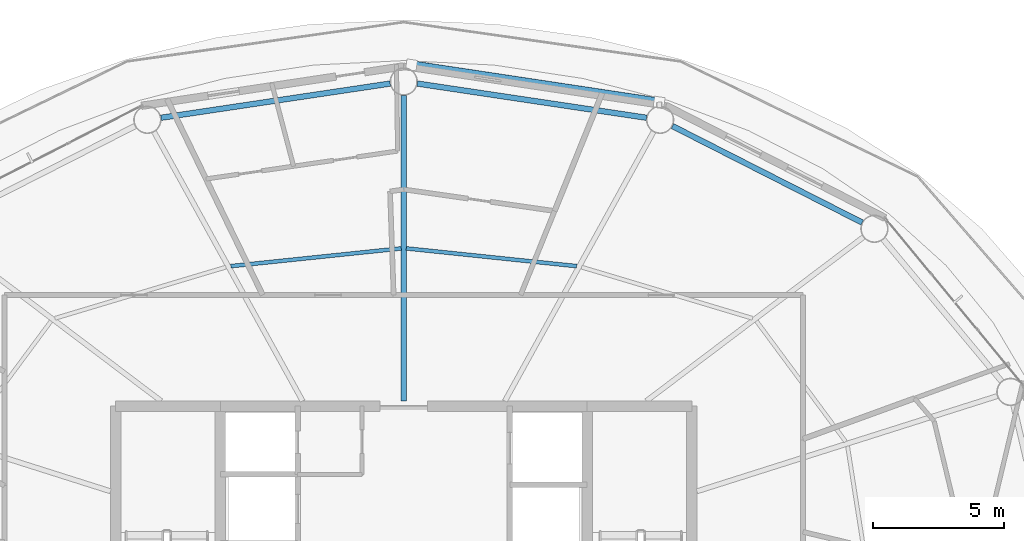
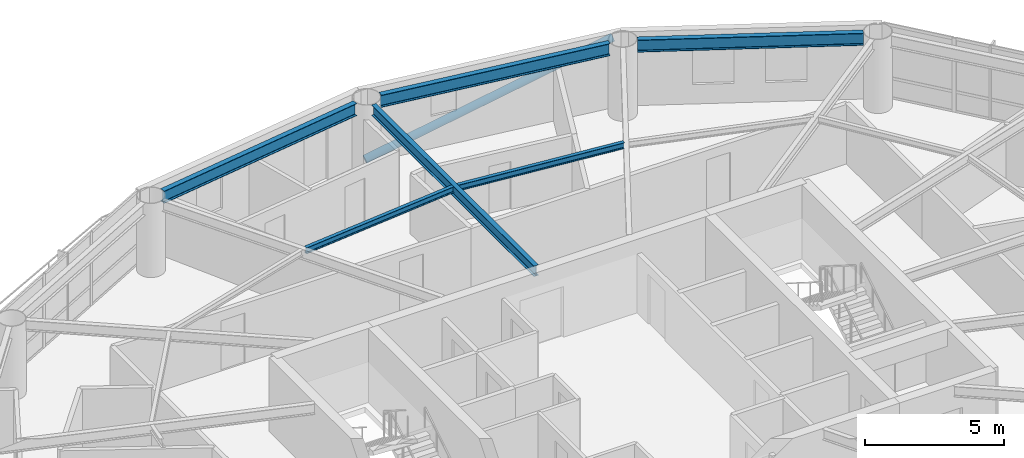
# One storey, part 13 of 24: 6 beams, 1 member.
"""IFC4 building model written with IfcOpenShell, lengths in metres."""

from ifc_helpers import new_model, si_unit, direction, frame, origin, origin_2d, place, context, subcontext, project, spatial, hollow_circle, i_section, extrude, material, material_profile, profile_set, type_object, element, save


model = new_model("IFC4")

# Units and contexts
model_context = context("Model", 3, precision=1e-05, world=origin(), true_north=direction((0.0, 1.0)))
body_context = subcontext(model_context, "Body", "Model", "MODEL_VIEW")
ifc_project = project(units=[si_unit("LENGTHUNIT", "METRE"), si_unit("AREAUNIT", "SQUARE_METRE"), si_unit("VOLUMEUNIT", "CUBIC_METRE"), si_unit("PLANEANGLEUNIT", "RADIAN"), si_unit("MASSUNIT", "GRAM", prefix="KILO")], contexts=[model_context])

# Site, building, storey
site_placement = place(None, origin())
site = spatial("IfcSite", under=ifc_project, at=site_placement, CompositionType="ELEMENT")
building_placement = place(site_placement, origin())
building = spatial("IfcBuilding", under=site, at=building_placement, Name="Sarneth Arch Tower", CompositionType="ELEMENT")
storey_placement = place(building_placement, frame((0.0, 0.0, 253.199951171875)))
storey = spatial("IfcBuildingStorey", under=building, at=storey_placement, Name="L65", CompositionType="ELEMENT", Elevation=253.199951171875)

# Beams
ifc_material_1 = material(Name="Steel S355", Category="steel")
ifc_material_profile_1 = material_profile(ifc_material_1, i_section(OverallWidth=0.14794921875, OverallDepth=0.26611328125, WebThickness=0.007568359375, FlangeThickness=0.012939453125, FilletRadius=0.012939453125, at=origin_2d()), Name="W250x44.8")
ifc_profile_set_1 = profile_set([ifc_material_profile_1], Name="Steel S355")
beam_type_1 = type_object("IfcBeamType", Name="BM-JOIST-250", PredefinedType="JOIST", material=ifc_profile_set_1)
for number, where, z_axis, x_axis, name in (
    (1, (54.60498046875, 54.1494140625, 3.116943359375), (-0.994616086198, 0.103628379682, 0.0), (-0.103628379682, -0.994616086198, 0.0), "L65 Secondary floor joist 04"),
    (2, (47.904541015625, 54.82763671875, 3.116943359375), (-0.994616086198, -0.103628379682, 0.0), (0.103628379682, -0.994616086198, 0.0), "L65 Secondary floor joist 05"),
):
    element("IfcBeam", number, at=place(storey_placement, frame(where, z_axis=z_axis, x_axis=x_axis)), inside=storey, type_object=beam_type_1, Name=name, PredefinedType="JOIST", context=body_context, shape_type="SweptSolid", body=[
        extrude(i_section(OverallWidth=0.14794921875, OverallDepth=0.26611328125, WebThickness=0.007568359375, FlangeThickness=0.012939453125, FilletRadius=0.012939453125, at=origin_2d()), origin(), (0.0, 0.0, 1.0), 6.544677734375),
    ])
ifc_material_2 = material(Name="Steel S355", Category="steel")
ifc_material_profile_2 = material_profile(ifc_material_2, i_section(OverallWidth=0.19189453125, OverallDepth=0.462890625, WebThickness=0.010498046875, FlangeThickness=0.017578125, FilletRadius=0.01806640625, at=origin_2d()), Name="W460x89")
ifc_profile_set_2 = profile_set([ifc_material_profile_2], Name="Steel S355")
beam_type_2 = type_object("IfcBeamType", Name="BM-RAD-460B", PredefinedType="BEAM", material=ifc_profile_set_2)
beam_1_placement = place(storey_placement, frame((48.0, 49.0, 3.0185546875), z_axis=(0.0, 1.0, 0.0), x_axis=(-1.0, 0.0, 0.0)))
element("IfcBeam", 3, at=beam_1_placement, inside=storey, type_object=beam_type_2, Name="L65 Radial floor girder 05", PredefinedType="BEAM", context=body_context, shape_type="SweptSolid", body=[
    extrude(i_section(OverallWidth=0.19189453125, OverallDepth=0.462890625, WebThickness=0.010498046875, FlangeThickness=0.017578125, FilletRadius=0.01806640625, at=origin_2d()), origin(), (0.0, 0.0, 1.0), 11.675048828125),
])
ifc_material_3 = material(Name="Steel S355", Category="steel")
ifc_material_profile_3 = material_profile(ifc_material_3, i_section(OverallWidth=0.2109375, OverallDepth=0.5390625, WebThickness=0.01171875, FlangeThickness=0.018798828125, FilletRadius=0.01806640625, at=origin_2d()), Name="W530x109")
ifc_profile_set_3 = profile_set([ifc_material_profile_3], Name="Steel S355")
beam_type_3 = type_object("IfcBeamType", Name="BM-RAD-530B", PredefinedType="BEAM", material=ifc_profile_set_3)
beam_2_placement = place(storey_placement, frame((65.50732421875, 55.814453125, 2.98046875), z_axis=(-0.891368271482, 0.453279830342, 0.0), x_axis=(-0.453279830342, -0.891368271482, 0.0)))
element("IfcBeam", 4, at=beam_2_placement, inside=storey, type_object=beam_type_3, Name="L65 Perimeter spandrel beam 03", PredefinedType="BEAM", context=body_context, shape_type="SweptSolid", body=[
    extrude(i_section(OverallWidth=0.2109375, OverallDepth=0.5390625, WebThickness=0.01171875, FlangeThickness=0.018798828125, FilletRadius=0.01806640625, at=origin_2d()), origin(), (0.0, 0.0, 1.0), 8.1318359375),
])
for number, where, z_axis, x_axis, name in (
    (5, (57.271484375, 59.81591796875, 2.98046875), (-0.989038715098, 0.147656425652, 0.0), (-0.147656425652, -0.989038715098, 0.0), "L65 Perimeter spandrel beam 04"),
    (6, (47.480712890625, 61.12255859375, 2.98046875), (-0.989038715098, -0.147656425652, 0.0), (0.147656425652, -0.989038715098, 0.0), "L65 Perimeter spandrel beam 05"),
):
    element("IfcBeam", number, at=place(storey_placement, frame(where, z_axis=z_axis, x_axis=x_axis)), inside=storey, type_object=beam_type_3, Name=name, PredefinedType="BEAM", context=body_context, shape_type="SweptSolid", body=[
        extrude(i_section(OverallWidth=0.2109375, OverallDepth=0.5390625, WebThickness=0.01171875, FlangeThickness=0.018798828125, FilletRadius=0.01806640625, at=origin_2d()), origin(), (0.0, 0.0, 1.0), 8.84912109375),
    ])

# Member
ifc_material_4 = material(Name="Steel S355", Category="steel")
ifc_material_profile_4 = material_profile(ifc_material_4, hollow_circle(Radius=0.162109375, WallThickness=0.012451171875, at=origin_2d()), Name="CHS324x12.5")
ifc_profile_set_4 = profile_set([ifc_material_profile_4], Name="Steel S355")
member_type = type_object("IfcMemberType", Name="MEM-DIAG-BR3", PredefinedType="BRACE", material=ifc_profile_set_4)
member_placement = place(storey_placement, frame((48.296630859375, 61.83544921875, 0.02001953125), z_axis=(0.946122030473, -0.142462951204, 0.29078757021), x_axis=(0.148897148305, 0.988852688335, 0.0)))
element("IfcMember", 7, at=member_placement, inside=storey, type_object=member_type, Name="L65 Perimeter frame diagonal 04", PredefinedType="BRACE", context=body_context, shape_type="SweptSolid", body=[
    extrude(hollow_circle(Radius=0.162109375, WallThickness=0.012451171875, at=origin_2d()), origin(), (0.0, 0.0, 1.0), 9.99609375),
])

save(model, "model.ifc")
